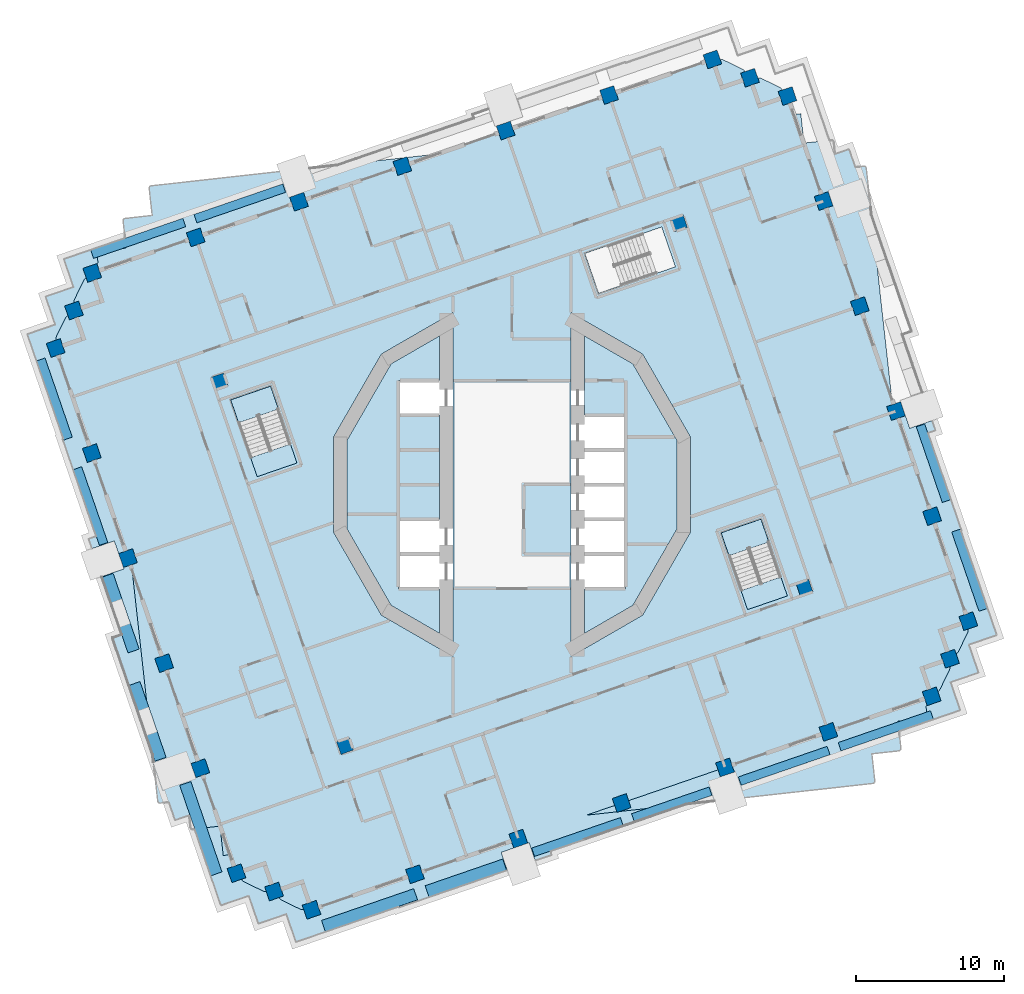
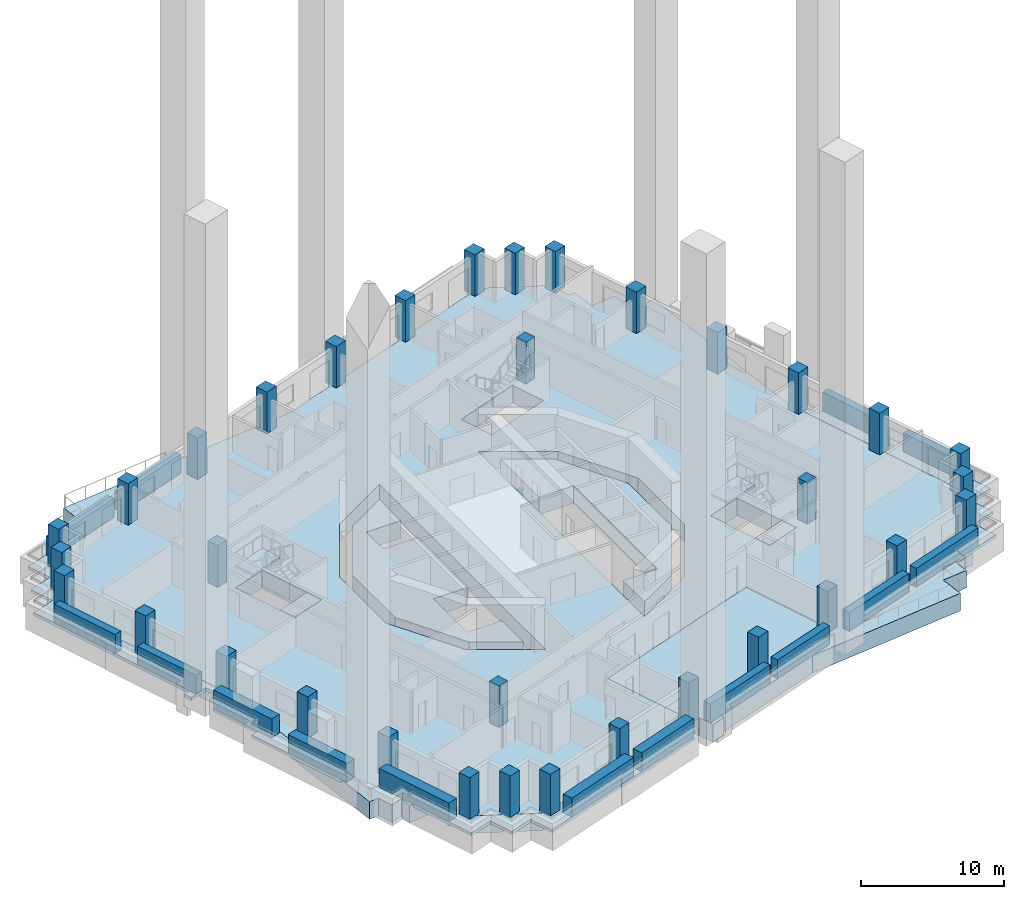
# One storey, part 1 of 18: 34 columns, 15 plates, 12 slabs, 2 elements without a shape of their own.
"""IFC4 building model written with IfcOpenShell, lengths in metres."""

from ifc_helpers import new_model, si_unit, direction, frame, origin, origin_2d, place, context, subcontext, project, spatial, polyline, rectangle, outline, extrude, material, layer, layer_set, material_profile, profile_set, type_object, element, aggregate, save


model = new_model("IFC4")

# Units and contexts
model_context = context("Model", 3, precision=1e-05, world=origin(), true_north=direction((0.0, 1.0)))
body_context = subcontext(model_context, "Body", "Model", "MODEL_VIEW")
ifc_project = project(units=[si_unit("LENGTHUNIT", "METRE"), si_unit("AREAUNIT", "SQUARE_METRE"), si_unit("VOLUMEUNIT", "CUBIC_METRE"), si_unit("PLANEANGLEUNIT", "RADIAN"), si_unit("MASSUNIT", "GRAM", prefix="KILO")], contexts=[model_context])

# Site, building, storey
site_placement = place(None, origin())
site = spatial("IfcSite", under=ifc_project, at=site_placement, CompositionType="ELEMENT")
building_placement = place(site_placement, origin())
building = spatial("IfcBuilding", under=site, at=building_placement, Name="Cantera Rosa Tower", CompositionType="ELEMENT")
storey_placement = place(building_placement, frame((0.0, 0.0, 100.300048828125)))
storey = spatial("IfcBuildingStorey", under=building, at=storey_placement, Name="L19", CompositionType="ELEMENT", Elevation=100.300048828125)

# Columns
ifc_material_1 = material(Name="Concrete C70/85", Category="concrete")
ifc_material_profile_1 = material_profile(ifc_material_1, rectangle(XDim=1.0, YDim=1.0, at=origin_2d()), Name="RC COLUMN RC1000X1000 C70/85")
ifc_profile_set_1 = profile_set([ifc_material_profile_1], Name="Concrete C70/85")
column_type_1 = type_object("IfcColumnType", Name="RC COLUMN RC1000X1000 C70/85", PredefinedType="COLUMN", material=ifc_profile_set_1)
for number, where, z_axis, x_axis, name in (
    (1, (30.893310546875, -9.245849609375, 0.0), (0.0, 0.0, 1.0), (0.945518575599, 0.325568154457, 0.0), "C-Z2-01 L19"),
    (2, (28.445068359375, -2.135498046875, 0.0), (0.0, 0.0, 1.0), (0.945518575599, 0.325568154457, 0.0), "C-Z2-02 L19"),
    (3, (25.996826171875, 4.974853515625, 0.0), (0.0, 0.0, 1.0), (0.945518575599, 0.325568154457, 0.0), "C-Z2-03 L19"),
    (4, (23.54833984375, 12.0849609375, 0.0), (0.0, 0.0, 1.0), (0.945518575599, 0.325568154457, 0.0), "C-Z2-04 L19"),
    (5, (21.10009765625, 19.1953125, 0.0), (0.0, 0.0, 1.0), (0.945518575599, 0.325568154457, 0.0), "C-Z2-05 L19"),
    (6, (18.65185546875, 26.3056640625, 0.0), (0.0, 0.0, 1.0), (0.945518575599, 0.325568154457, 0.0), "C-Z2-06 L19"),
    (7, (16.109619140625, 27.545654296875, 0.0), (0.0, 0.0, 1.0), (0.945518575599, 0.325568154457, 0.0), "C-Z2-07 L19"),
    (8, (13.567626953125, 28.785400390625, 0.0), (0.0, 0.0, 1.0), (0.945518575599, 0.325568154457, 0.0), "C-Z2-08 L19"),
    (9, (6.57080078125, 26.376220703125, 0.0), (0.0, 0.0, 1.0), (0.945518575599, 0.325568154457, 0.0), "C-Z2-09 L19"),
    (10, (-0.426025390625, 23.967041015625, 0.0), (0.0, 0.0, 1.0), (0.945518575599, 0.325568154457, 0.0), "C-Z2-10 L19"),
    (11, (-7.4228515625, 21.557861328125, 0.0), (0.0, 0.0, 1.0), (0.945518575599, 0.325568154457, 0.0), "C-Z2-11 L19"),
    (12, (-14.419677734375, 19.148681640625, 0.0), (0.0, 0.0, 1.0), (0.945518575599, 0.325568154457, 0.0), "C-Z2-12 L19"),
    (13, (-21.416748046875, 16.739501953125, 0.0), (0.0, 0.0, 1.0), (0.945518575599, 0.325568154457, 0.0), "C-Z2-13 L19"),
    (14, (-28.41357421875, 14.330322265625, 0.0), (0.0, 0.0, 1.0), (0.945518575599, 0.325568154457, 0.0), "C-Z2-14 L19"),
    (15, (-29.6533203125, 11.7880859375, 0.0), (0.0, 0.0, 1.0), (0.945518575599, 0.325568154457, 0.0), "C-Z2-15 L19"),
    (16, (-30.893310546875, 9.245849609375, 0.0), (0.0, 0.0, 1.0), (0.945518575599, 0.325568154457, 0.0), "C-Z2-16 L19"),
    (17, (-28.445068359375, 2.135498046875, 0.0), (0.0, 0.0, 1.0), (0.945518575599, 0.325568154457, 0.0), "C-Z2-17 L19"),
    (18, (-25.996826171875, -4.974853515625, 0.0), (0.0, 0.0, 1.0), (0.945518575599, 0.325568154457, 0.0), "C-Z2-18 L19"),
    (19, (-23.54833984375, -12.0849609375, 0.0), (0.0, 0.0, 1.0), (0.945518575599, 0.325568154457, 0.0), "C-Z2-19 L19"),
    (20, (-21.10009765625, -19.1953125, 0.0), (0.0, 0.0, 1.0), (0.945518575599, 0.325568154457, 0.0), "C-Z2-20 L19"),
    (21, (-18.65185546875, -26.3056640625, 0.0), (0.0, 0.0, 1.0), (0.945518575599, 0.325568154457, 0.0), "C-Z2-21 L19"),
    (22, (-16.109619140625, -27.545654296875, 0.0), (0.0, 0.0, 1.0), (0.945518575599, 0.325568154457, 0.0), "C-Z2-22 L19"),
    (23, (-13.567626953125, -28.785400390625, 0.0), (0.0, 0.0, 1.0), (0.945518575599, 0.325568154457, 0.0), "C-Z2-23 L19"),
    (24, (-6.57080078125, -26.376220703125, 0.0), (0.0, 0.0, 1.0), (0.945518575599, 0.325568154457, 0.0), "C-Z2-24 L19"),
    (25, (0.426025390625, -23.967041015625, 0.0), (0.0, 0.0, 1.0), (0.945518575599, 0.325568154457, 0.0), "C-Z2-25 L19"),
    (26, (7.4228515625, -21.557861328125, 0.0), (0.0, 0.0, 1.0), (0.945518575599, 0.325568154457, 0.0), "C-Z2-26 L19"),
    (27, (14.419677734375, -19.148681640625, 0.0), (0.0, 0.0, 1.0), (0.945518575599, 0.325568154457, 0.0), "C-Z2-27 L19"),
    (28, (21.416748046875, -16.739501953125, 0.0), (0.0, 0.0, 1.0), (0.945518575599, 0.325568154457, 0.0), "C-Z2-28 L19"),
    (29, (28.41357421875, -14.330322265625, 0.0), (0.0, 0.0, 1.0), (0.945518575599, 0.325568154457, 0.0), "C-Z2-29 L19"),
    (30, (29.6533203125, -11.7880859375, 0.0), (0.0, 0.0, 1.0), (0.945518575599, 0.325568154457, 0.0), "C-Z2-30 L19"),
):
    element("IfcColumn", number, at=place(storey_placement, frame(where, z_axis=z_axis, x_axis=x_axis)), inside=storey, type_object=column_type_1, Name=name, PredefinedType="COLUMN", context=body_context, shape_type="SweptSolid", body=[
        extrude(rectangle(XDim=1.0, YDim=1.0, at=origin_2d()), origin(), (0.0, 0.0, 1.0), 3.550048828125),
    ])
ifc_material_2 = material(Name="Concrete C70/85", Category="concrete")
ifc_material_profile_2 = material_profile(ifc_material_2, rectangle(XDim=0.89990234375, YDim=0.89990234375, at=origin_2d()), Name="RC RING COLUMN RC900X900 C70/85")
ifc_profile_set_2 = profile_set([ifc_material_profile_2], Name="Concrete C70/85")
column_type_2 = type_object("IfcColumnType", Name="RC RING COLUMN RC900X900 C70/85", PredefinedType="COLUMN", material=ifc_profile_set_2)
for number, where, z_axis, x_axis, name in (
    (31, (11.30517578125, 17.694580078125, 0.0), (0.0, 0.0, 1.0), (0.945518575599, 0.325568154457, 0.0), "CI-Z2-1 L19"),
    (32, (-19.802490234375, 6.9833984375, 0.0), (0.0, 0.0, 1.0), (0.945518575599, 0.325568154457, 0.0), "CI-Z2-2 L19"),
    (33, (-11.30517578125, -17.694580078125, 0.0), (0.0, 0.0, 1.0), (0.945518575599, 0.325568154457, 0.0), "CI-Z2-3 L19"),
    (34, (19.802490234375, -6.9833984375, 0.0), (0.0, 0.0, 1.0), (0.945518575599, 0.325568154457, 0.0), "CI-Z2-4 L19"),
):
    element("IfcColumn", number, at=place(storey_placement, frame(where, z_axis=z_axis, x_axis=x_axis)), inside=storey, type_object=column_type_2, Name=name, PredefinedType="COLUMN", context=body_context, shape_type="SweptSolid", body=[
        extrude(rectangle(XDim=0.89990234375, YDim=0.89990234375, at=origin_2d()), origin(), (0.0, 0.0, 1.0), 3.550048828125),
    ])

# Slabs
ifc_material_3 = material(Name="Concrete C35/45", Category="concrete")
ifc_layer_1 = layer(ifc_material_3, 0.25)
ifc_layer_set_1 = layer_set([ifc_layer_1], Name="LOGGIA SLAB 250 C35/45")
slab_type_1 = type_object("IfcSlabType", Name="LOGGIA SLAB 250 C35/45", PredefinedType="FLOOR", material=ifc_layer_set_1)
slab_1_placement = place(storey_placement, frame((0.0, 0.0, -0.25)))
element("IfcSlab", 35, at=slab_1_placement, inside=storey, type_object=slab_type_1, Name="LOGGIA SLAB L19 1", PredefinedType="FLOOR", context=body_context, shape_type="SweptSolid", body=[
    extrude(outline(polyline([(-31.381591796875, 10.6640625), (-30.908935546875, 10.826904296875), (-31.071533203125, 11.2998046875), (-31.56005859375, 12.718017578125), (-30.1416015625, 13.206298828125), (-29.6689453125, 13.369140625), (-29.831787109375, 13.841796875), (-30.320068359375, 15.260009765625), (-28.90185546875, 15.74853515625), (-26.19970703125, 16.678955078125), (-26.126220703125, 16.015625), (-28.114013671875, 15.795166015625), (-28.0283203125, 15.022216796875), (-28.962158203125, 13.876220703125), (-28.97900390625, 13.85205078125), (-28.9931640625, 13.826171875), (-29.613037109375, 12.55517578125), (-29.62451171875, 12.528076171875), (-29.633544921875, 12.5), (-29.6396484375, 12.47119140625), (-29.642822265625, 12.44189453125), (-29.6533203125, 11.7880859375), (-30.162109375, 11.377197265625), (-30.18310546875, 11.356689453125), (-30.2021484375, 11.333984375), (-30.21875, 11.309814453125), (-30.23291015625, 11.283935546875), (-30.852783203125, 10.012939453125), (-30.864501953125, 9.98583984375), (-30.873291015625, 9.957763671875), (-30.87939453125, 9.928955078125), (-30.8828125, 9.899658203125), (-30.893310546875, 9.245849609375), (-26.159423828125, -4.501953125), (-26.63232421875, -4.664794921875), (-26.92529296875, -3.813720703125), (-28.427734375, -4.331298828125), (-28.652099609375, -3.6796875), (-28.14306640625, -3.50439453125), (-30.416015625, 3.096923828125), (-30.3681640625, 3.11328125), (-32.3115234375, 8.757568359375), (-32.7998046875, 10.17578125), (-31.381591796875, 10.6640625)])), origin(), (0.0, 0.0, 1.0), 0.25),
])
slab_2_placement = place(storey_placement, frame((0.0, 0.0, -0.25)))
element("IfcSlab", 36, at=slab_2_placement, inside=storey, type_object=slab_type_1, Name="LOGGIA SLAB L19 2", PredefinedType="FLOOR", context=body_context, shape_type="SweptSolid", body=[
    extrude(outline(polyline([(-27.776611328125, -6.22216796875), (-26.274169921875, -5.704833984375), (-26.306640625, -5.6103515625), (-25.833984375, -5.447509765625), (-25.71923828125, -5.780517578125), (-24.333984375, -18.262939453125), (-27.049072265625, -10.377685546875), (-26.42041015625, -10.161376953125), (-27.776611328125, -6.22216796875)])), origin(), (0.0, 0.0, 1.0), 0.25),
])
slab_3_placement = place(storey_placement, frame((0.0, 0.0, -0.25)))
element("IfcSlab", 37, at=slab_3_placement, inside=storey, type_object=slab_type_1, Name="LOGGIA SLAB L19 3", PredefinedType="FLOOR", context=body_context, shape_type="SweptSolid", body=[
    extrude(outline(polyline([(-14.62158203125, -30.9462890625), (-15.1748046875, -29.3388671875), (-15.272705078125, -29.05517578125), (-15.556396484375, -29.15283203125), (-17.16357421875, -29.706298828125), (-17.717041015625, -28.09912109375), (-17.814697265625, -27.815185546875), (-18.098388671875, -27.9130859375), (-19.705810546875, -28.466552734375), (-20.25927734375, -26.859130859375), (-21.480712890625, -23.31201171875), (-19.77001953125, -23.1220703125), (-19.54931640625, -25.10986328125), (-19.08154296875, -25.057861328125), (-18.948974609375, -25.443115234375), (-18.65185546875, -26.3056640625), (-18.240966796875, -26.814453125), (-18.220458984375, -26.83544921875), (-18.197998046875, -26.8544921875), (-18.173583984375, -26.87109375), (-18.14794921875, -26.88525390625), (-16.876708984375, -27.505126953125), (-16.849609375, -27.516845703125), (-16.82177734375, -27.525634765625), (-16.79296875, -27.53173828125), (-16.763671875, -27.534912109375), (-16.109619140625, -27.54541015625), (-15.698974609375, -28.05419921875), (-15.67822265625, -28.075439453125), (-15.65576171875, -28.09423828125), (-15.631591796875, -28.111083984375), (-15.605712890625, -28.125), (-14.334716796875, -28.7451171875), (-14.3076171875, -28.756591796875), (-14.279541015625, -28.765625), (-14.250732421875, -28.771728515625), (-14.221435546875, -28.77490234375), (-13.567626953125, -28.785400390625), (-0.046630859375, -24.1298828125), (0.1162109375, -24.6025390625), (-0.73486328125, -24.8955078125), (-0.32421875, -26.08837890625), (-7.66259765625, -28.615234375), (-7.6826171875, -28.55712890625), (-13.01416015625, -30.392822265625), (-14.62158203125, -30.9462890625)])), origin(), (0.0, 0.0, 1.0), 0.25),
])
slab_4_placement = place(storey_placement, frame((0.0, 0.0, -0.25)))
element("IfcSlab", 38, at=slab_4_placement, inside=storey, type_object=slab_type_1, Name="LOGGIA SLAB L19 7", PredefinedType="FLOOR", context=body_context, shape_type="SweptSolid", body=[
    extrude(outline(polyline([(31.381591796875, -10.6640625), (30.908935546875, -10.826904296875), (31.071533203125, -11.2998046875), (31.56005859375, -12.718017578125), (30.1416015625, -13.206298828125), (29.6689453125, -13.369140625), (29.831787109375, -13.841796875), (30.320068359375, -15.260009765625), (28.90185546875, -15.74853515625), (26.19970703125, -16.678955078125), (26.126220703125, -16.015625), (28.114013671875, -15.795166015625), (28.0283203125, -15.022216796875), (28.962158203125, -13.876220703125), (28.97900390625, -13.85205078125), (28.9931640625, -13.826171875), (29.613037109375, -12.55517578125), (29.62451171875, -12.528076171875), (29.633544921875, -12.5), (29.6396484375, -12.47119140625), (29.642822265625, -12.44189453125), (29.6533203125, -11.7880859375), (30.162109375, -11.377197265625), (30.18310546875, -11.356689453125), (30.2021484375, -11.333984375), (30.21875, -11.309814453125), (30.23291015625, -11.283935546875), (30.852783203125, -10.012939453125), (30.864501953125, -9.98583984375), (30.873291015625, -9.957763671875), (30.87939453125, -9.928955078125), (30.8828125, -9.899658203125), (30.893310546875, -9.245849609375), (26.159423828125, 4.501953125), (26.63232421875, 4.664794921875), (26.92529296875, 3.813720703125), (28.427734375, 4.331298828125), (28.652099609375, 3.6796875), (28.14306640625, 3.50439453125), (30.416015625, -3.096923828125), (30.3681640625, -3.11328125), (32.3115234375, -8.757568359375), (32.7998046875, -10.17578125), (31.381591796875, -10.6640625)])), origin(), (0.0, 0.0, 1.0), 0.25),
])

# Plates
ifc_material_4 = material(Name="Cantera stone planter with soil", Category="masonry")
plate_type_1 = type_object("IfcPlateType", Name="PLANTER 600", PredefinedType="USERDEFINED", material=ifc_material_4)
plate_1_placement = place(storey_placement, frame((30.974609375, -5.79638671875, 0.0), z_axis=(0.0, 0.0, 1.0), x_axis=(-0.325568154457, 0.945518575599, 0.0)))
element("IfcPlate", 39, at=plate_1_placement, inside=storey, type_object=plate_type_1, Name="PLANTER L19-01", ObjectType="PLANTER", PredefinedType="USERDEFINED", context=body_context, shape_type="SweptSolid", body=[
    extrude(rectangle(XDim=5.669921875, YDim=0.60009765625, at=origin_2d()), origin(), (0.0, 0.0, 1.0), 1.60009765625),
])
plate_2_placement = place(storey_placement, frame((28.53369140625, 1.448486328125, 0.0), z_axis=(0.0, 0.0, 1.0), x_axis=(-0.325568154457, 0.945518575599, 0.0)))
element("IfcPlate", 40, at=plate_2_placement, inside=storey, type_object=plate_type_1, Name="PLANTER L19-02", ObjectType="PLANTER", PredefinedType="USERDEFINED", context=body_context, shape_type="SweptSolid", body=[
    extrude(rectangle(XDim=5.419921875, YDim=0.60009765625, at=origin_2d()), origin(), (0.0, 0.0, 1.0), 1.60009765625),
])
plate_3_placement = place(storey_placement, frame((-18.427001953125, 19.037841796875, 0.0), z_axis=(0.0, 0.0, 1.0), x_axis=(-0.945518575599, -0.325568154457, 0.0)))
element("IfcPlate", 41, at=plate_3_placement, inside=storey, type_object=plate_type_1, Name="PLANTER L19-10", ObjectType="PLANTER", PredefinedType="USERDEFINED", context=body_context, shape_type="SweptSolid", body=[
    extrude(rectangle(XDim=6.35009765625, YDim=0.60009765625, at=origin_2d()), origin(), (0.0, 0.0, 1.0), 1.60009765625),
])
plate_4_placement = place(storey_placement, frame((-25.3056640625, 16.66943359375, 0.0), z_axis=(0.0, 0.0, 1.0), x_axis=(-0.945518575599, -0.325568154457, 0.0)))
element("IfcPlate", 42, at=plate_4_placement, inside=storey, type_object=plate_type_1, Name="PLANTER L19-11", ObjectType="PLANTER", PredefinedType="USERDEFINED", context=body_context, shape_type="SweptSolid", body=[
    extrude(rectangle(XDim=6.60009765625, YDim=0.60009765625, at=origin_2d()), origin(), (0.0, 0.0, 1.0), 1.60009765625),
])
plate_5_placement = place(storey_placement, frame((-30.974609375, 5.79638671875, 0.0), z_axis=(0.0, 0.0, 1.0), x_axis=(0.325568154457, -0.945518575599, 0.0)))
element("IfcPlate", 43, at=plate_5_placement, inside=storey, type_object=plate_type_1, Name="PLANTER L19-12", ObjectType="PLANTER", PredefinedType="USERDEFINED", context=body_context, shape_type="SweptSolid", body=[
    extrude(rectangle(XDim=5.669921875, YDim=0.60009765625, at=origin_2d()), origin(), (0.0, 0.0, 1.0), 1.60009765625),
])
plate_6_placement = place(storey_placement, frame((-28.53369140625, -1.448486328125, 0.0), z_axis=(0.0, 0.0, 1.0), x_axis=(0.325568154457, -0.945518575599, 0.0)))
element("IfcPlate", 44, at=plate_6_placement, inside=storey, type_object=plate_type_1, Name="PLANTER L19-13", ObjectType="PLANTER", PredefinedType="USERDEFINED", context=body_context, shape_type="SweptSolid", body=[
    extrude(rectangle(XDim=5.419921875, YDim=0.60009765625, at=origin_2d()), origin(), (0.0, 0.0, 1.0), 1.60009765625),
])
plate_7_placement = place(storey_placement, frame((4.433349609375, -23.8564453125, 0.0), z_axis=(0.0, 0.0, 1.0), x_axis=(0.945518575599, 0.325568154457, 0.0)))
element("IfcPlate", 45, at=plate_7_placement, inside=storey, type_object=plate_type_1, Name="PLANTER L19-19", ObjectType="PLANTER", PredefinedType="USERDEFINED", context=body_context, shape_type="SweptSolid", body=[
    extrude(rectangle(XDim=6.35009765625, YDim=0.60009765625, at=origin_2d()), origin(), (0.0, 0.0, 1.0), 1.60009765625),
])
plate_8_placement = place(storey_placement, frame((10.815673828125, -21.65869140625, 0.0), z_axis=(0.0, 0.0, 1.0), x_axis=(0.945518575599, 0.325568154457, 0.0)))
element("IfcPlate", 46, at=plate_8_placement, inside=storey, type_object=plate_type_1, Name="PLANTER L19-20", ObjectType="PLANTER", PredefinedType="USERDEFINED", context=body_context, shape_type="SweptSolid", body=[
    extrude(rectangle(XDim=5.550048828125, YDim=0.60009765625, at=origin_2d()), origin(), (0.0, 0.0, 1.0), 1.60009765625),
])
plate_9_placement = place(storey_placement, frame((18.427001953125, -19.037841796875, 0.0), z_axis=(0.0, 0.0, 1.0), x_axis=(0.945518575599, 0.325568154457, 0.0)))
element("IfcPlate", 47, at=plate_9_placement, inside=storey, type_object=plate_type_1, Name="PLANTER L19-21", ObjectType="PLANTER", PredefinedType="USERDEFINED", context=body_context, shape_type="SweptSolid", body=[
    extrude(rectangle(XDim=6.35009765625, YDim=0.60009765625, at=origin_2d()), origin(), (0.0, 0.0, 1.0), 1.60009765625),
])
plate_10_placement = place(storey_placement, frame((25.3056640625, -16.66943359375, 0.0), z_axis=(0.0, 0.0, 1.0), x_axis=(0.945518575599, 0.325568154457, 0.0)))
element("IfcPlate", 48, at=plate_10_placement, inside=storey, type_object=plate_type_1, Name="PLANTER L19-22", ObjectType="PLANTER", PredefinedType="USERDEFINED", context=body_context, shape_type="SweptSolid", body=[
    extrude(rectangle(XDim=6.60009765625, YDim=0.60009765625, at=origin_2d()), origin(), (0.0, 0.0, 1.0), 1.60009765625),
])
ifc_material_5 = material(Name="Cantera stone planter with soil", Category="masonry")
plate_type_2 = type_object("IfcPlateType", Name="PLANTER 800", PredefinedType="USERDEFINED", material=ifc_material_5)
for number, where, z_axis, x_axis, name in (
    (49, (-26.5, -8.70166015625, 0.0), (0.0, 0.0, 1.0), (0.325568154457, -0.945518575599, 0.0), "PLANTER L19-14"),
    (50, (-24.68017578125, -16.0283203125, 0.0), (0.0, 0.0, 1.0), (0.325568154457, -0.945518575599, 0.0), "PLANTER L19-15"),
):
    element("IfcPlate", number, at=place(storey_placement, frame(where, z_axis=z_axis, x_axis=x_axis)), inside=storey, type_object=plate_type_2, Name=name, ObjectType="PLANTER", PredefinedType="USERDEFINED", context=body_context, shape_type="SweptSolid", body=[
        extrude(rectangle(XDim=5.419921875, YDim=0.800048828125, at=origin_2d()), origin(), (0.0, 0.0, 1.0), 1.60009765625),
    ])
plate_11_placement = place(storey_placement, frame((-21.064453125, -23.2919921875, 0.0), z_axis=(0.0, 0.0, 1.0), x_axis=(0.325568154457, -0.945518575599, 0.0)))
element("IfcPlate", 51, at=plate_11_placement, inside=storey, type_object=plate_type_2, Name="PLANTER L19-16", ObjectType="PLANTER", PredefinedType="USERDEFINED", context=body_context, shape_type="SweptSolid", body=[
    extrude(rectangle(XDim=6.469970703125, YDim=0.800048828125, at=origin_2d()), origin(), (0.0, 0.0, 1.0), 1.60009765625),
])
plate_12_placement = place(storey_placement, frame((-9.64599609375, -28.81005859375, 0.0), z_axis=(0.0, 0.0, 1.0), x_axis=(0.945518575599, 0.325568154457, 0.0)))
element("IfcPlate", 52, at=plate_12_placement, inside=storey, type_object=plate_type_2, Name="PLANTER L19-17", ObjectType="PLANTER", PredefinedType="USERDEFINED", context=body_context, shape_type="SweptSolid", body=[
    extrude(rectangle(XDim=6.60009765625, YDim=0.800048828125, at=origin_2d()), origin(), (0.0, 0.0, 1.0), 1.60009765625),
])
plate_13_placement = place(storey_placement, frame((-3.12548828125, -26.6298828125, 0.0), z_axis=(0.0, 0.0, 1.0), x_axis=(0.945518575599, 0.325568154457, 0.0)))
element("IfcPlate", 53, at=plate_13_placement, inside=storey, type_object=plate_type_2, Name="PLANTER L19-18", ObjectType="PLANTER", PredefinedType="USERDEFINED", context=body_context, shape_type="SweptSolid", body=[
    extrude(rectangle(XDim=5.550048828125, YDim=0.800048828125, at=origin_2d()), origin(), (0.0, 0.0, 1.0), 1.60009765625),
])

# Slabs
ifc_material_6 = material(Name="Concrete C50/60", Category="concrete")
ifc_layer_2 = layer(ifc_material_6, 0.300048828125)
ifc_layer_set_2 = layer_set([ifc_layer_2], Name="RC STAIR ARRIVAL LANDING 300 C50/60")
slab_type_2 = type_object("IfcSlabType", Name="RC STAIR ARRIVAL LANDING 300 C50/60", PredefinedType="FLOOR", material=ifc_layer_set_2)
slab_5_placement = place(storey_placement, frame((0.0, 0.0, -0.300048828125)))
element("IfcSlab", 54, at=slab_5_placement, inside=storey, type_object=slab_type_2, Name="SLAB L19 arrival 1", PredefinedType="FLOOR", context=body_context, shape_type="SweptSolid", body=[
    extrude(outline(polyline([(-15.000732421875, 2.751708984375), (-14.557373046875, 1.4638671875), (-17.252197265625, 0.535888671875), (-17.695556640625, 1.82373046875), (-15.000732421875, 2.751708984375)])), origin(), (0.0, 0.0, 1.0), 0.300048828125),
])
slab_6_placement = place(storey_placement, frame((0.0, 0.0, -0.300048828125)))
element("IfcSlab", 55, at=slab_6_placement, inside=storey, type_object=slab_type_2, Name="SLAB L19 arrival 3", PredefinedType="FLOOR", context=body_context, shape_type="SweptSolid", body=[
    extrude(outline(polyline([(18.19921875, -6.248291015625), (18.642578125, -7.5361328125), (15.947998046875, -8.464111328125), (15.50439453125, -7.17626953125), (18.19921875, -6.248291015625)])), origin(), (0.0, 0.0, 1.0), 0.300048828125),
])
ifc_material_7 = material(Name="Concrete C50/60", Category="concrete")
ifc_layer_3 = layer(ifc_material_7, 1.5)
ifc_layer_set_3 = layer_set([ifc_layer_3], Name="RC TRANSFER PLATE 1500 C50/60")
slab_type_3 = type_object("IfcSlabType", Name="RC TRANSFER PLATE 1500 C50/60", PredefinedType="FLOOR", material=ifc_layer_set_3)
slab_7_placement = place(storey_placement, frame((0.0, 0.0, -1.5)))
element("IfcSlab", 56, at=slab_7_placement, inside=storey, type_object=slab_type_3, Name="SLAB L19 floor 1", PredefinedType="FLOOR", context=body_context, shape_type="SweptSolid", body=[
    extrude(outline(polyline([(-7.699951171875, -7.050048828125), (-4.89990234375, -7.050048828125), (-4.89990234375, -10.07373046875), (-8.179931640625, -8.179931640625), (-11.174072265625, -2.994140625), (-11.174072265625, 2.994140625), (-8.179931640625, 8.179931640625), (-4.89990234375, 10.07373046875), (-4.89990234375, 7.050048828125), (-7.699951171875, 7.050048828125), (-7.699951171875, 4.699951171875), (-4.89990234375, 4.699951171875), (-4.89990234375, -2.35009765625), (-7.699951171875, -2.35009765625), (-7.699951171875, -4.699951171875), (-7.699951171875, -7.050048828125)])), origin(), (0.0, 0.0, 1.0), 1.5),
])
slab_8_placement = place(storey_placement, frame((0.0, 0.0, -1.5)))
element("IfcSlab", 57, at=slab_8_placement, inside=storey, type_object=slab_type_3, Name="SLAB L19 floor 2", PredefinedType="FLOOR", context=body_context, shape_type="SweptSolid", body=[
    extrude(outline(polyline([(-23.96630859375, -21.575439453125), (-25.71923828125, -5.780517578125), (-30.893310546875, 9.245849609375), (-30.8828125, 9.899658203125), (-30.87939453125, 9.928955078125), (-30.873291015625, 9.957763671875), (-30.864501953125, 9.98583984375), (-30.852783203125, 10.012939453125), (-30.23291015625, 11.283935546875), (-30.21875, 11.309814453125), (-30.2021484375, 11.333984375), (-30.18310546875, 11.356689453125), (-30.162109375, 11.377197265625), (-29.6533203125, 11.7880859375), (-29.642822265625, 12.44189453125), (-29.6396484375, 12.47119140625), (-29.633544921875, 12.5), (-29.62451171875, 12.528076171875), (-29.613037109375, 12.55517578125), (-28.9931640625, 13.826171875), (-28.97900390625, 13.85205078125), (-28.962158203125, 13.876220703125), (-28.0283203125, 15.022216796875), (-28.114013671875, 15.795166015625), (-26.126220703125, 16.015625), (-26.3466796875, 18.00341796875), (-24.35888671875, 18.22412109375), (-24.57958984375, 20.2119140625), (-5.0302734375, 22.381591796875), (13.567626953125, 28.785400390625), (14.221435546875, 28.77490234375), (14.250732421875, 28.771728515625), (14.279541015625, 28.765625), (14.3076171875, 28.756591796875), (14.334716796875, 28.7451171875), (15.605712890625, 28.125), (15.631591796875, 28.111083984375), (15.65576171875, 28.09423828125), (15.67822265625, 28.075439453125), (15.698974609375, 28.05419921875), (16.109619140625, 27.54541015625), (16.763671875, 27.534912109375), (16.79296875, 27.53173828125), (16.82177734375, 27.525634765625), (16.849609375, 27.516845703125), (16.876708984375, 27.505126953125), (18.14794921875, 26.88525390625), (18.173583984375, 26.87109375), (18.197998046875, 26.8544921875), (18.220458984375, 26.83544921875), (18.240966796875, 26.814453125), (18.65185546875, 26.3056640625), (18.948974609375, 25.443115234375), (19.08154296875, 25.057861328125), (19.54931640625, 25.10986328125), (19.77001953125, 23.1220703125), (21.7578125, 23.342529296875), (21.865478515625, 22.37158203125), (22.8076171875, 22.69580078125), (23.2216796875, 21.492919921875), (23.96630859375, 21.575439453125), (25.71923828125, 5.780517578125), (30.893310546875, -9.245849609375), (30.8828125, -9.899658203125), (30.87939453125, -9.928955078125), (30.873291015625, -9.957763671875), (30.864501953125, -9.98583984375), (30.852783203125, -10.012939453125), (30.23291015625, -11.283935546875), (30.21875, -11.309814453125), (30.2021484375, -11.333984375), (30.18310546875, -11.356689453125), (30.162109375, -11.377197265625), (29.6533203125, -11.7880859375), (29.642822265625, -12.44189453125), (29.6396484375, -12.47119140625), (29.633544921875, -12.5), (29.62451171875, -12.528076171875), (29.613037109375, -12.55517578125), (28.9931640625, -13.826171875), (28.97900390625, -13.85205078125), (28.962158203125, -13.876220703125), (28.0283203125, -15.022216796875), (28.114013671875, -15.795166015625), (26.126220703125, -16.015625), (26.3466796875, -18.00341796875), (24.35888671875, -18.22412109375), (24.57958984375, -20.2119140625), (11.8291015625, -21.627197265625), (5.0302734375, -22.381591796875), (14.419921875, -19.148681640625), (11.97802734375, -12.05712890625), (-2.015625, -16.87548828125), (0.426025390625, -23.967041015625), (-13.567626953125, -28.785400390625), (-14.221435546875, -28.77490234375), (-14.250732421875, -28.771728515625), (-14.279541015625, -28.765625), (-14.3076171875, -28.756591796875), (-14.334716796875, -28.7451171875), (-15.605712890625, -28.125), (-15.631591796875, -28.111083984375), (-15.65576171875, -28.09423828125), (-15.67822265625, -28.075439453125), (-15.698974609375, -28.05419921875), (-16.109619140625, -27.54541015625), (-16.763671875, -27.534912109375), (-16.79296875, -27.53173828125), (-16.82177734375, -27.525634765625), (-16.849609375, -27.516845703125), (-16.876708984375, -27.505126953125), (-18.14794921875, -26.88525390625), (-18.173583984375, -26.87109375), (-18.197998046875, -26.8544921875), (-18.220458984375, -26.83544921875), (-18.240966796875, -26.814453125), (-18.65185546875, -26.3056640625), (-18.948974609375, -25.443115234375), (-19.08154296875, -25.057861328125), (-19.54931640625, -25.10986328125), (-19.77001953125, -23.1220703125), (-21.7578125, -23.342529296875), (-21.865478515625, -22.37158203125), (-22.8076171875, -22.69580078125), (-23.2216796875, -21.492919921875), (-23.96630859375, -21.575439453125)]), holes=[polyline([(-8.8388671875, 8.8388671875), (-12.07421875, 3.235107421875), (-12.07421875, -3.235107421875), (-8.8388671875, -8.8388671875), (-4.0, -11.632568359375), (-4.0, 11.632568359375), (-8.8388671875, 8.8388671875)]), polyline([(-14.557373046875, 1.4638671875), (-16.347900390625, 6.6640625), (-19.042724609375, 5.736083984375), (-17.252197265625, 0.535888671875), (-14.557373046875, 1.4638671875)]), polyline([(18.642578125, -7.5361328125), (16.85205078125, -2.3359375), (14.1572265625, -3.263916015625), (15.50439453125, -7.17626953125), (15.947998046875, -8.464111328125), (18.642578125, -7.5361328125)]), polyline([(8.8388671875, -8.8388671875), (12.07421875, -3.235107421875), (12.07421875, 3.235107421875), (8.8388671875, 8.8388671875), (4.0, 11.632568359375), (4.0, -11.632568359375), (8.8388671875, -8.8388671875)]), polyline([(10.13623046875, 17.442626953125), (4.935791015625, 15.652099609375), (5.86376953125, 12.957275390625), (9.7763671875, 14.304443359375), (11.064208984375, 14.747802734375), (10.13623046875, 17.442626953125)])]), origin(), (0.0, 0.0, 1.0), 1.5),
])
slab_9_placement = place(storey_placement, frame((0.0, 0.0, -1.5)))
element("IfcSlab", 58, at=slab_9_placement, inside=storey, type_object=slab_type_3, Name="SLAB L19 floor 3", PredefinedType="FLOOR", context=body_context, shape_type="SweptSolid", body=[
    extrude(outline(polyline([(4.89990234375, 4.699951171875), (4.89990234375, 10.07373046875), (8.179931640625, 8.179931640625), (11.174072265625, 2.994140625), (11.174072265625, -2.994140625), (8.179931640625, -8.179931640625), (4.89990234375, -10.07373046875), (4.89990234375, -7.050048828125), (7.699951171875, -7.050048828125), (7.699951171875, -4.699951171875), (7.699951171875, -2.35009765625), (7.699951171875, 0.0), (7.699951171875, 2.35009765625), (7.699951171875, 4.699951171875), (4.89990234375, 4.699951171875)])), origin(), (0.0, 0.0, 1.0), 1.5),
])
ifc_material_8 = material(Name="Concrete C50/60", Category="concrete")
ifc_layer_4 = layer(ifc_material_8, 1.5)
ifc_layer_set_4 = layer_set([ifc_layer_4], Name="RC TRANSFER PLATE TERRACE 1500 C50/60")
slab_type_4 = type_object("IfcSlabType", Name="RC TRANSFER PLATE TERRACE 1500 C50/60", PredefinedType="FLOOR", material=ifc_layer_set_4)
slab_10_placement = place(storey_placement, frame((0.0, 0.0, -1.5)))
element("IfcSlab", 59, at=slab_10_placement, inside=storey, type_object=slab_type_4, Name="RC TRANSFER PLATE TERRACE L19 1", PredefinedType="FLOOR", context=body_context, shape_type="SweptSolid", body=[
    extrude(outline(polyline([(11.8291015625, -21.627197265625), (9.32958984375, -22.48779296875), (6.492919921875, -23.464599609375), (2.579833984375, -24.811767578125), (2.6650390625, -25.05908203125), (1.56689453125, -25.43701171875), (1.15625, -24.244384765625), (1.061767578125, -24.277099609375), (0.89892578125, -23.80419921875), (0.426025390625, -23.967041015625), (-2.015625, -16.87548828125), (11.97802734375, -12.05712890625), (14.419921875, -19.148681640625), (5.0302734375, -22.381591796875), (11.8291015625, -21.627197265625)])), origin(), (0.0, 0.0, 1.0), 1.5),
])

# Stair, slab
ifc_material_9 = material(Name="Concrete C35/45", Category="concrete")
stair_type = type_object("IfcStairType", Name="EXIT STAIR 1350 DOGLEG", PredefinedType="HALF_TURN_STAIR", material=ifc_material_9)
stair_1_placement = place(storey_placement, origin())
stair_1 = element("IfcStair", 60, at=stair_1_placement, inside=storey, type_object=stair_type, Name="L19 ST-22", PredefinedType="HALF_TURN_STAIR")
ifc_material_10 = material(Name="Concrete C35/45", Category="concrete")
ifc_layer_5 = layer(ifc_material_10, 0.199951171875)
ifc_layer_set_5 = layer_set([ifc_layer_5], Name="STAIR LANDING 200")
slab_type_5 = type_object("IfcSlabType", Name="STAIR LANDING 200", PredefinedType="LANDING", material=ifc_layer_set_5)
slab_11_placement = place(storey_placement, frame((0.0, 0.0, 1.699951171875)))
slab_11 = element("IfcSlab", 61, at=slab_11_placement, type_object=slab_type_5, Name="ST-22 landing 1", PredefinedType="LANDING", context=body_context, shape_type="SweptSolid", body=[
    extrude(outline(polyline([(-15.8134765625, 5.111572265625), (-16.347900390625, 6.6640625), (-19.042724609375, 5.736328125), (-18.508056640625, 4.18359375), (-15.8134765625, 5.111572265625)])), origin(), (0.0, 0.0, 1.0), 0.199951171875),
])
aggregate(stair_1, [slab_11])

stair_2_placement = place(storey_placement, origin())
stair_2 = element("IfcStair", 62, at=stair_2_placement, inside=storey, type_object=stair_type, Name="L19 ST-23", PredefinedType="HALF_TURN_STAIR")
slab_12_placement = place(storey_placement, frame((0.0, 0.0, 1.699951171875)))
slab_12 = element("IfcSlab", 63, at=slab_12_placement, type_object=slab_type_5, Name="ST-23 landing 1", PredefinedType="LANDING", context=body_context, shape_type="SweptSolid", body=[
    extrude(outline(polyline([(17.38671875, -3.888427734375), (16.85205078125, -2.3359375), (14.1572265625, -3.263671875), (14.69189453125, -4.81640625), (17.38671875, -3.888427734375)])), origin(), (0.0, 0.0, 1.0), 0.199951171875),
])
aggregate(stair_2, [slab_12])

save(model, "model.ifc")
